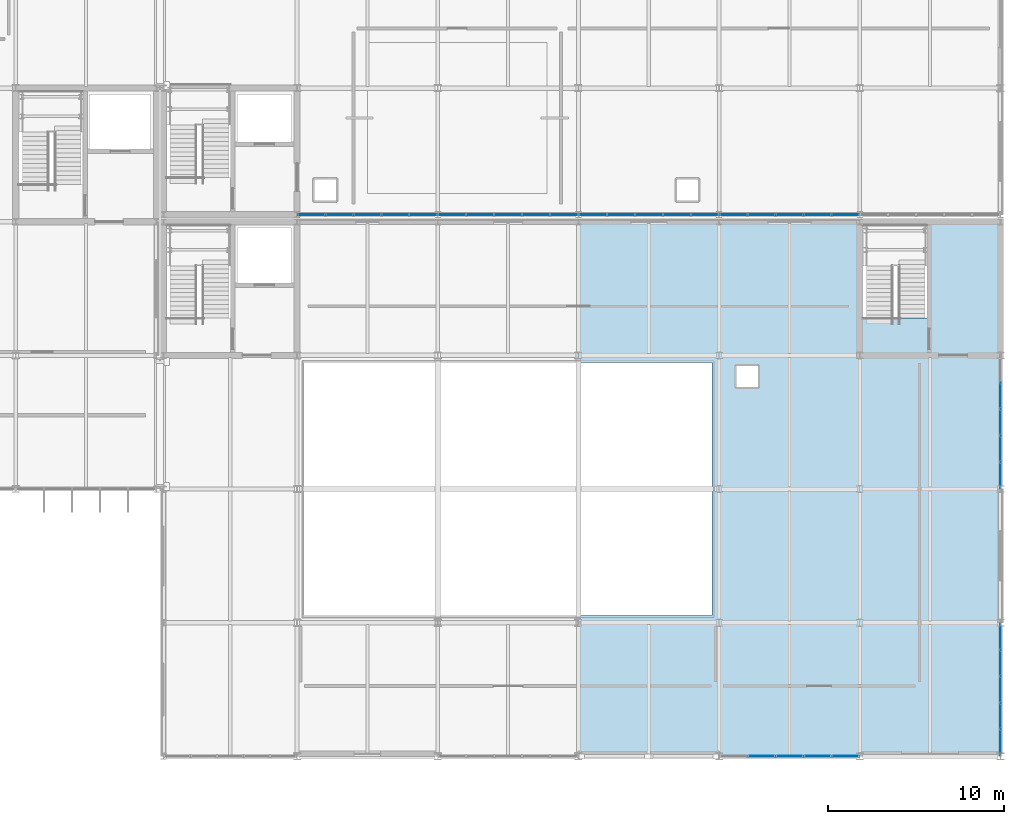
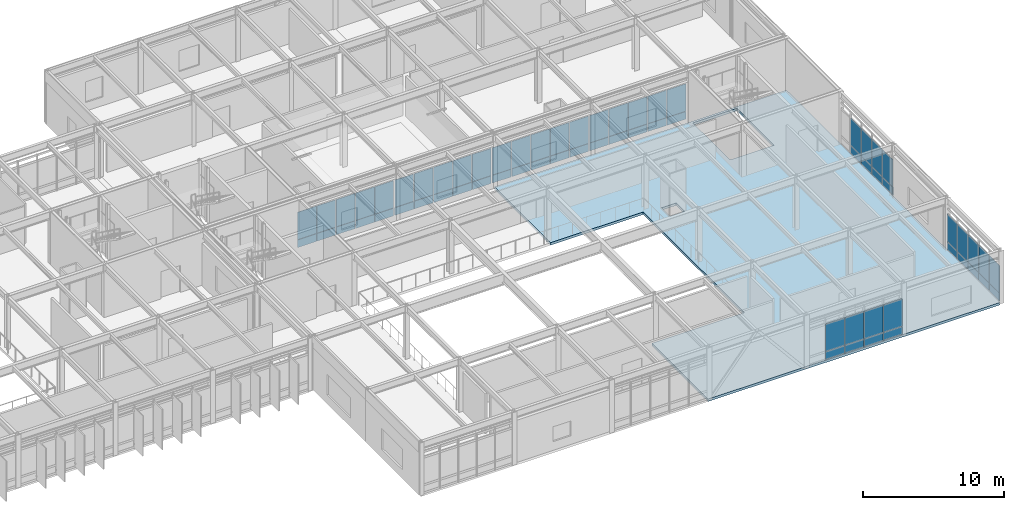
# One storey, part 75 of 104: 66 plates, 1 slab, 7 elements without a shape of their own.
"""IFC4 building model written with IfcOpenShell, lengths in metres."""

import ifcopenshell
import ifcopenshell.guid

model = None  # the IFC model being written
_history = None  # IfcOwnerHistory: only IFC2X3 demands one
_inside = {}  # id of a spatial element -> (the spatial element, [elements in it])
_under = {}  # id of a project, library or spatial element -> (it, [spatial elements below it])
_declared = {}  # id of a project -> (the project, [libraries it declares])
_typed = {}  # id of a type object -> (the type object, [elements of that type])
_made_of = {}  # id of a material, layer set ... -> (it, [elements and type objects made of it])


def new_model(schema):
    """Start an empty IFC model of exactly this schema.

    Asked for "IFC4X3", IfcOpenShell would pick the latest addendum, in which some entities
    have other attributes; the version numbers below select the first issue.
    IFC2X3 requires an IfcOwnerHistory on every rooted entity: one is made here for all.
    """
    global model, _history
    if schema == "IFC4X3":
        model = ifcopenshell.file(schema_version=(4, 3, 0, 0))
    else:
        model = ifcopenshell.file(schema=schema)
    _inside.clear()
    _under.clear()
    _declared.clear()
    _typed.clear()
    _made_of.clear()
    _history = None
    if model.schema == "IFC2X3":
        org = make("IfcOrganization", Name="unknown")
        user = make(
            "IfcPersonAndOrganization",
            ThePerson=make("IfcPerson", FamilyName="unknown"),
            TheOrganization=org,
        )
        app = make(
            "IfcApplication",
            ApplicationDeveloper=org,
            Version="unknown",
            ApplicationFullName="unknown",
            ApplicationIdentifier="unknown",
        )
        _history = make(
            "IfcOwnerHistory",
            OwningUser=user,
            OwningApplication=app,
            ChangeAction="ADDED",
            CreationDate=0,
        )
    return model


def make(cls, **values):
    """One entity of the class cls with the attributes given. An attribute that is None is left unset."""
    return model.create_entity(
        cls, **{name: value for name, value in values.items() if value is not None}
    )


def rooted(cls, **values):
    """An entity with a GlobalId (a new one), such as an element, a storey or a relation."""
    return make(cls, GlobalId=ifcopenshell.guid.new(), OwnerHistory=_history, **values)


def si_unit(unit_type, name, prefix=None):
    """IfcSIUnit, for example si_unit("LENGTHUNIT", "METRE", prefix="MILLI")."""
    return make("IfcSIUnit", UnitType=unit_type, Prefix=prefix, Name=name)


def assignment(units):
    """IfcUnitAssignment: the units of a project."""
    return None if units is None else make("IfcUnitAssignment", Units=units)


def point(xyz):
    """IfcCartesianPoint."""
    return None if xyz is None else make("IfcCartesianPoint", Coordinates=xyz)


def direction(xyz):
    """IfcDirection."""
    return None if xyz is None else make("IfcDirection", DirectionRatios=xyz)


def frame(location, z_axis=None, x_axis=None):
    """IfcAxis2Placement3D, a coordinate frame: its origin and axes. An axis left out is left unset."""
    return make(
        "IfcAxis2Placement3D",
        Location=point(location),
        Axis=direction(z_axis),
        RefDirection=direction(x_axis),
    )


def frame_2d(location, x_axis=None):
    """IfcAxis2Placement2D, a coordinate frame in the plane: its origin and x axis."""
    return make(
        "IfcAxis2Placement2D", Location=point(location), RefDirection=direction(x_axis)
    )


def origin():
    """The frame at (0, 0, 0) with its axes left unset."""
    return frame((0.0, 0.0, 0.0))


def origin_2d():
    """The frame at (0, 0) in the plane with its x axis left unset."""
    return frame_2d((0.0, 0.0))


def place(relative_to, where):
    """IfcLocalPlacement: puts the frame where relative to a parent placement (None: the world)."""
    return make(
        "IfcLocalPlacement", PlacementRelTo=relative_to, RelativePlacement=where
    )


def context(
    kind, dimensions, precision=None, world=None, true_north=None, identifier=None
):
    """IfcGeometricRepresentationContext, for example the 3D "Model" context."""
    return make(
        "IfcGeometricRepresentationContext",
        ContextIdentifier=identifier,
        ContextType=kind,
        CoordinateSpaceDimension=dimensions,
        Precision=precision,
        WorldCoordinateSystem=world,
        TrueNorth=true_north,
    )


def subcontext(parent, identifier, kind, view, scale=None):
    """IfcGeometricRepresentationSubContext, for example "Body" below "Model"."""
    return make(
        "IfcGeometricRepresentationSubContext",
        ContextIdentifier=identifier,
        ContextType=kind,
        ParentContext=parent,
        TargetScale=scale,
        TargetView=view,
    )


def project(units=None, contexts=None):
    """IfcProject with its units and contexts."""
    return rooted(
        "IfcProject",
        Name="project",
        RepresentationContexts=contexts,
        UnitsInContext=assignment(units),
    )


def spatial(cls, under=None, at=None, **own):
    """A site, building, storey or space (cls), placed at a placement, below another one or the project."""
    s = rooted(cls, ObjectPlacement=at, **own)
    if under is not None:
        _under.setdefault(under.id(), (under, []))[1].append(s)
    return s


def polyline(points):
    """IfcPolyline through the points."""
    return make("IfcPolyline", Points=[point(p) for p in points])


def profile(cls, at=None, kind="AREA", **sizes):
    """A parametric profile (cls). Its sizes go by their IFC names, for example OverallWidth=200.0."""
    return make(cls, ProfileType=kind, Position=at, **sizes)


def rectangle(**sizes):
    """IfcRectangleProfileDef."""
    return profile("IfcRectangleProfileDef", **sizes)


def outline(outer, holes=None, kind="AREA"):
    """IfcArbitraryClosedProfileDef: a profile drawn as a closed curve; with holes, ...WithVoids."""
    if holes is None:
        return make("IfcArbitraryClosedProfileDef", ProfileType=kind, OuterCurve=outer)
    return make(
        "IfcArbitraryProfileDefWithVoids",
        ProfileType=kind,
        OuterCurve=outer,
        InnerCurves=holes,
    )


def extrude(swept, where, along, depth):
    """IfcExtrudedAreaSolid: the profile swept, set in the frame where, extruded along a direction by depth."""
    return make(
        "IfcExtrudedAreaSolid",
        SweptArea=swept,
        Position=where,
        ExtrudedDirection=direction(along),
        Depth=depth,
    )


def shape(context_of_items, identifier, shape_type, items):
    """IfcShapeRepresentation: the items that make up one representation, for example the "Body"."""
    return make(
        "IfcShapeRepresentation",
        ContextOfItems=context_of_items,
        RepresentationIdentifier=identifier,
        RepresentationType=shape_type,
        Items=items,
    )


def material(Name=None, Category=None):
    """IfcMaterial."""
    return make("IfcMaterial", Name=Name, Category=Category)


def layer(
    of_material, thickness, ventilated=None, Name=None, Category=None, Priority=None
):
    """IfcMaterialLayer: one layer of a wall or slab, of a material (None: an air gap)."""
    return make(
        "IfcMaterialLayer",
        Material=of_material,
        LayerThickness=thickness,
        IsVentilated=ventilated,
        Name=Name,
        Category=Category,
        Priority=Priority,
    )


def layer_set(layers, Name=None):
    """IfcMaterialLayerSet."""
    return make("IfcMaterialLayerSet", MaterialLayers=layers, LayerSetName=Name)


def made_of(thing, what):
    """Note that an element or type object is made of a material, layer set ...; save() writes the relation."""
    if what is not None:
        _made_of.setdefault(what.id(), (what, []))[1].append(thing)
    return thing


def type_object(cls, material=None, **own):
    """A type object (cls), such as IfcWallType, which elements share."""
    return made_of(rooted(cls, **own), material)


def element(
    cls,
    number,
    at=None,
    inside=None,
    cuts=None,
    type_object=None,
    material=None,
    context=None,
    identifier="Body",
    shape_type=None,
    held_by="IfcProductDefinitionShape",
    body=None,
    shapes=None,
    **own,
):
    """One element of the class cls, such as IfcWall. Its Tag is "e" and its number.

    at: its placement. inside: the storey or other place that contains it. cuts: it is an
    opening in that element (IfcRelVoidsElement). A single representation is given by context,
    identifier, shape_type and body (its items); several are given by shapes. held_by: the class
    of the entity that holds the representations. save() writes the other relations.
    """
    e = rooted(cls, Tag="e%d" % number, ObjectPlacement=at, **own)
    if body is not None:
        shapes = [shape(context, identifier, shape_type, body)]
    if shapes is not None:
        e.Representation = make(held_by, Representations=shapes)
    if inside is not None:
        _inside.setdefault(inside.id(), (inside, []))[1].append(e)
    if cuts is not None:
        rooted(
            "IfcRelVoidsElement", RelatingBuildingElement=cuts, RelatedOpeningElement=e
        )
    if type_object is not None:
        _typed.setdefault(type_object.id(), (type_object, []))[1].append(e)
    return made_of(e, material)


def aggregate(whole, parts):
    """IfcRelAggregates: a whole, such as a stair, and the parts it consists of."""
    return rooted("IfcRelAggregates", RelatingObject=whole, RelatedObjects=parts)


def save(model, path):
    """Write the relations noted so far, then the file.

    IfcRelAggregates (storeys below a building ...), IfcRelContainedInSpatialStructure (elements
    in a storey), IfcRelDefinesByType, IfcRelAssociatesMaterial and IfcRelDeclares: one each for
    every whole, place, type object, material and project.
    """
    for whole, parts in _under.values():
        aggregate(whole, parts)
    for where, things in _inside.values():
        rooted(
            "IfcRelContainedInSpatialStructure",
            RelatedElements=things,
            RelatingStructure=where,
        )
    for kind, things in _typed.values():
        rooted("IfcRelDefinesByType", RelatedObjects=things, RelatingType=kind)
    for what, things in _made_of.values():
        rooted("IfcRelAssociatesMaterial", RelatedObjects=things, RelatingMaterial=what)
    for by, libraries in _declared.values():
        rooted("IfcRelDeclares", RelatingContext=by, RelatedDefinitions=libraries)
    model.write(path)


model = new_model("IFC4")

# Units and contexts
model_context = context("Model", 3, precision=1e-05, world=origin(), true_north=direction((0.0, 1.0)))
body_context = subcontext(model_context, "Body", "Model", "MODEL_VIEW")
ifc_project = project(units=[si_unit("LENGTHUNIT", "METRE"), si_unit("AREAUNIT", "SQUARE_METRE"), si_unit("VOLUMEUNIT", "CUBIC_METRE"), si_unit("PLANEANGLEUNIT", "RADIAN"), si_unit("MASSUNIT", "GRAM", prefix="KILO")], contexts=[model_context])

# Site, building, storey
site_placement = place(None, origin())
site = spatial("IfcSite", under=ifc_project, at=site_placement, CompositionType="ELEMENT")
building_placement = place(site_placement, origin())
building = spatial("IfcBuilding", under=site, at=building_placement, Name="Zulena Civic Courthouse", CompositionType="ELEMENT")
storey_placement = place(building_placement, frame((0.0, 0.0, 10.800048828125)))
storey = spatial("IfcBuildingStorey", under=building, at=storey_placement, Name="L02", CompositionType="ELEMENT", Elevation=10.800048828125)

# Curtain wall, plates
ifc_material_1 = material(Name="Double-silver low-E laminated solar-control glass", Category="glass")
curtain_wall_type_1 = type_object("IfcCurtainWallType", Name="CW_7540x3690", PredefinedType="USERDEFINED", material=ifc_material_1)
curtain_wall_1_placement = place(storey_placement, origin())
curtain_wall_1 = element("IfcCurtainWall", 1, at=curtain_wall_1_placement, inside=storey, type_object=curtain_wall_type_1, Name="cw:V1:L02:2:1", ObjectType="UNITISED CURTAIN WALL", PredefinedType="USERDEFINED")
ifc_material_2 = material(Name="Ceramic-fritted insulated spandrel glass", Category="glass")
ifc_layer_1 = layer(ifc_material_2, 0.0458984375)
ifc_layer_set_1 = layer_set([ifc_layer_1], Name="Ceramic-fritted insulated spandrel glass")
plate_type_1 = type_object("IfcPlateType", Name="CWPanel_Spandrel_46", PredefinedType="CURTAIN_PANEL", material=ifc_layer_set_1)
plate_1_placement = place(storey_placement, frame((172.0, 20.508056640625, 0.070068359375), z_axis=(0.0, 0.0, 1.0), x_axis=(0.0, -1.0, 0.0)))
plate_1 = element("IfcPlate", 2, at=plate_1_placement, type_object=plate_type_1, Name="cw:V1:L02:2:1:panS:1", PredefinedType="CURTAIN_PANEL", context=body_context, shape_type="SweptSolid", body=[
    extrude(rectangle(XDim=1.4580078125, YDim=0.0458984375, at=origin_2d()), origin(), (0.0, 0.0, 1.0), 0.669921875),
])
plate_2_placement = place(storey_placement, frame((172.0, 19.0, 0.070068359375), z_axis=(0.0, 0.0, 1.0), x_axis=(0.0, -1.0, 0.0)))
plate_2 = element("IfcPlate", 3, at=plate_2_placement, type_object=plate_type_1, Name="cw:V1:L02:2:1:panS:2", PredefinedType="CURTAIN_PANEL", context=body_context, shape_type="SweptSolid", body=[
    extrude(rectangle(XDim=1.4580078125, YDim=0.0458984375, at=origin_2d()), origin(), (0.0, 0.0, 1.0), 0.669921875),
])
plate_3_placement = place(storey_placement, frame((172.0, 17.491943359375, 0.070068359375), z_axis=(0.0, 0.0, 1.0), x_axis=(0.0, -1.0, 0.0)))
plate_3 = element("IfcPlate", 4, at=plate_3_placement, type_object=plate_type_1, Name="cw:V1:L02:2:1:panS:3", PredefinedType="CURTAIN_PANEL", context=body_context, shape_type="SweptSolid", body=[
    extrude(rectangle(XDim=1.4580078125, YDim=0.0458984375, at=origin_2d()), origin(), (0.0, 0.0, 1.0), 0.669921875),
])
plate_4_placement = place(storey_placement, frame((172.0, 15.98388671875, 0.070068359375), z_axis=(0.0, 0.0, 1.0), x_axis=(0.0, -1.0, 0.0)))
plate_4 = element("IfcPlate", 5, at=plate_4_placement, type_object=plate_type_1, Name="cw:V1:L02:2:1:panS:4", PredefinedType="CURTAIN_PANEL", context=body_context, shape_type="SweptSolid", body=[
    extrude(rectangle(XDim=1.4580078125, YDim=0.0458984375, at=origin_2d()), origin(), (0.0, 0.0, 1.0), 0.669921875),
])

curtain_wall_2_placement = place(storey_placement, origin())
curtain_wall_2 = element("IfcCurtainWall", 6, at=curtain_wall_2_placement, inside=storey, type_object=curtain_wall_type_1, Name="cw:V1:L02:2:3", ObjectType="UNITISED CURTAIN WALL", PredefinedType="USERDEFINED")
plate_5_placement = place(storey_placement, frame((172.0, 6.81591796875, 0.070068359375), z_axis=(0.0, 0.0, 1.0), x_axis=(0.0, -1.0, 0.0)))
plate_5 = element("IfcPlate", 7, at=plate_5_placement, type_object=plate_type_1, Name="cw:V1:L02:2:3:panS:0", PredefinedType="CURTAIN_PANEL", context=body_context, shape_type="SweptSolid", body=[
    extrude(rectangle(XDim=1.4580078125, YDim=0.0458984375, at=origin_2d()), origin(), (0.0, 0.0, 1.0), 0.669921875),
])
plate_6_placement = place(storey_placement, frame((172.0, 5.30810546875, 0.070068359375), z_axis=(0.0, 0.0, 1.0), x_axis=(0.0, -1.0, 0.0)))
plate_6 = element("IfcPlate", 8, at=plate_6_placement, type_object=plate_type_1, Name="cw:V1:L02:2:3:panS:1", PredefinedType="CURTAIN_PANEL", context=body_context, shape_type="SweptSolid", body=[
    extrude(rectangle(XDim=1.4580078125, YDim=0.0458984375, at=origin_2d()), origin(), (0.0, 0.0, 1.0), 0.669921875),
])
plate_7_placement = place(storey_placement, frame((172.0, 3.800048828125, 0.070068359375), z_axis=(0.0, 0.0, 1.0), x_axis=(0.0, -1.0, 0.0)))
plate_7 = element("IfcPlate", 9, at=plate_7_placement, type_object=plate_type_1, Name="cw:V1:L02:2:3:panS:2", PredefinedType="CURTAIN_PANEL", context=body_context, shape_type="SweptSolid", body=[
    extrude(rectangle(XDim=1.4580078125, YDim=0.0458984375, at=origin_2d()), origin(), (0.0, 0.0, 1.0), 0.669921875),
])
plate_8_placement = place(storey_placement, frame((172.0, 2.2919921875, 0.070068359375), z_axis=(0.0, 0.0, 1.0), x_axis=(0.0, -1.0, 0.0)))
plate_8 = element("IfcPlate", 10, at=plate_8_placement, type_object=plate_type_1, Name="cw:V1:L02:2:3:panS:3", PredefinedType="CURTAIN_PANEL", context=body_context, shape_type="SweptSolid", body=[
    extrude(rectangle(XDim=1.4580078125, YDim=0.0458984375, at=origin_2d()), origin(), (0.0, 0.0, 1.0), 0.669921875),
])
plate_9_placement = place(storey_placement, frame((172.0, 0.783935546875, 0.070068359375), z_axis=(0.0, 0.0, 1.0), x_axis=(0.0, -1.0, 0.0)))
plate_9 = element("IfcPlate", 11, at=plate_9_placement, type_object=plate_type_1, Name="cw:V1:L02:2:3:panS:4", PredefinedType="CURTAIN_PANEL", context=body_context, shape_type="SweptSolid", body=[
    extrude(rectangle(XDim=1.4580078125, YDim=0.0458984375, at=origin_2d()), origin(), (0.0, 0.0, 1.0), 0.669921875),
])

curtain_wall_type_2 = type_object("IfcCurtainWallType", Name="CW_7940x3690", PredefinedType="USERDEFINED", material=ifc_material_1)
curtain_wall_3_placement = place(storey_placement, origin())
curtain_wall_3 = element("IfcCurtainWall", 12, at=curtain_wall_3_placement, inside=storey, type_object=curtain_wall_type_2, Name="cw:V1:L02:3:1", ObjectType="UNITISED CURTAIN WALL", PredefinedType="USERDEFINED")
plate_10_placement = place(storey_placement, frame((163.176025390625, 0.0, 0.070068359375), z_axis=(0.0, 0.0, 1.0), x_axis=(-1.0, 0.0, 0.0)))
plate_10 = element("IfcPlate", 13, at=plate_10_placement, type_object=plate_type_1, Name="cw:V1:L02:3:1:panS:0", PredefinedType="CURTAIN_PANEL", context=body_context, shape_type="SweptSolid", body=[
    extrude(rectangle(XDim=1.5380859375, YDim=0.0458984375, at=origin_2d()), origin(), (0.0, 0.0, 1.0), 0.669921875),
])
plate_11_placement = place(storey_placement, frame((161.587890625, 0.0, 0.070068359375), z_axis=(0.0, 0.0, 1.0), x_axis=(-1.0, 0.0, 0.0)))
plate_11 = element("IfcPlate", 14, at=plate_11_placement, type_object=plate_type_1, Name="cw:V1:L02:3:1:panS:1", PredefinedType="CURTAIN_PANEL", context=body_context, shape_type="SweptSolid", body=[
    extrude(rectangle(XDim=1.5380859375, YDim=0.0458984375, at=origin_2d()), origin(), (0.0, 0.0, 1.0), 0.669921875),
])
plate_12_placement = place(storey_placement, frame((160.0, 0.0, 0.070068359375), z_axis=(0.0, 0.0, 1.0), x_axis=(-1.0, 0.0, 0.0)))
plate_12 = element("IfcPlate", 15, at=plate_12_placement, type_object=plate_type_1, Name="cw:V1:L02:3:1:panS:2", PredefinedType="CURTAIN_PANEL", context=body_context, shape_type="SweptSolid", body=[
    extrude(rectangle(XDim=1.5380859375, YDim=0.0458984375, at=origin_2d()), origin(), (0.0, 0.0, 1.0), 0.669921875),
])
plate_13_placement = place(storey_placement, frame((158.412109375, 0.0, 0.070068359375), z_axis=(0.0, 0.0, 1.0), x_axis=(-1.0, 0.0, 0.0)))
plate_13 = element("IfcPlate", 16, at=plate_13_placement, type_object=plate_type_1, Name="cw:V1:L02:3:1:panS:3", PredefinedType="CURTAIN_PANEL", context=body_context, shape_type="SweptSolid", body=[
    extrude(rectangle(XDim=1.5380859375, YDim=0.0458984375, at=origin_2d()), origin(), (0.0, 0.0, 1.0), 0.669921875),
])

curtain_wall_4_placement = place(storey_placement, origin())
curtain_wall_4 = element("IfcCurtainWall", 17, at=curtain_wall_4_placement, inside=storey, type_object=curtain_wall_type_2, Name="cw:V3:L02:3:1", ObjectType="UNITISED CURTAIN WALL", PredefinedType="USERDEFINED")
plate_14_placement = place(storey_placement, frame((163.176025390625, 30.800048828125, 0.070068359375), z_axis=(0.0, 0.0, 1.0), x_axis=(-1.0, 0.0, 0.0)))
plate_14 = element("IfcPlate", 18, at=plate_14_placement, type_object=plate_type_1, Name="cw:V3:L02:3:1:panS:0", PredefinedType="CURTAIN_PANEL", context=body_context, shape_type="SweptSolid", body=[
    extrude(rectangle(XDim=1.5380859375, YDim=0.0458984375, at=origin_2d()), origin(), (0.0, 0.0, 1.0), 0.669921875),
])
plate_15_placement = place(storey_placement, frame((161.587890625, 30.800048828125, 0.070068359375), z_axis=(0.0, 0.0, 1.0), x_axis=(-1.0, 0.0, 0.0)))
plate_15 = element("IfcPlate", 19, at=plate_15_placement, type_object=plate_type_1, Name="cw:V3:L02:3:1:panS:1", PredefinedType="CURTAIN_PANEL", context=body_context, shape_type="SweptSolid", body=[
    extrude(rectangle(XDim=1.5380859375, YDim=0.0458984375, at=origin_2d()), origin(), (0.0, 0.0, 1.0), 0.669921875),
])
plate_16_placement = place(storey_placement, frame((160.0, 30.800048828125, 0.070068359375), z_axis=(0.0, 0.0, 1.0), x_axis=(-1.0, 0.0, 0.0)))
plate_16 = element("IfcPlate", 20, at=plate_16_placement, type_object=plate_type_1, Name="cw:V3:L02:3:1:panS:2", PredefinedType="CURTAIN_PANEL", context=body_context, shape_type="SweptSolid", body=[
    extrude(rectangle(XDim=1.5380859375, YDim=0.0458984375, at=origin_2d()), origin(), (0.0, 0.0, 1.0), 0.669921875),
])
plate_17_placement = place(storey_placement, frame((158.412109375, 30.800048828125, 0.070068359375), z_axis=(0.0, 0.0, 1.0), x_axis=(-1.0, 0.0, 0.0)))
plate_17 = element("IfcPlate", 21, at=plate_17_placement, type_object=plate_type_1, Name="cw:V3:L02:3:1:panS:3", PredefinedType="CURTAIN_PANEL", context=body_context, shape_type="SweptSolid", body=[
    extrude(rectangle(XDim=1.5380859375, YDim=0.0458984375, at=origin_2d()), origin(), (0.0, 0.0, 1.0), 0.669921875),
])
plate_18_placement = place(storey_placement, frame((156.823974609375, 30.800048828125, 0.070068359375), z_axis=(0.0, 0.0, 1.0), x_axis=(-1.0, 0.0, 0.0)))
plate_18 = element("IfcPlate", 22, at=plate_18_placement, type_object=plate_type_1, Name="cw:V3:L02:3:1:panS:4", PredefinedType="CURTAIN_PANEL", context=body_context, shape_type="SweptSolid", body=[
    extrude(rectangle(XDim=1.5380859375, YDim=0.0458984375, at=origin_2d()), origin(), (0.0, 0.0, 1.0), 0.669921875),
])

curtain_wall_5_placement = place(storey_placement, origin())
curtain_wall_5 = element("IfcCurtainWall", 23, at=curtain_wall_5_placement, inside=storey, type_object=curtain_wall_type_2, Name="cw:V3:L02:3:2", ObjectType="UNITISED CURTAIN WALL", PredefinedType="USERDEFINED")
plate_19_placement = place(storey_placement, frame((155.176025390625, 30.800048828125, 0.070068359375), z_axis=(0.0, 0.0, 1.0), x_axis=(-1.0, 0.0, 0.0)))
plate_19 = element("IfcPlate", 24, at=plate_19_placement, type_object=plate_type_1, Name="cw:V3:L02:3:2:panS:0", PredefinedType="CURTAIN_PANEL", context=body_context, shape_type="SweptSolid", body=[
    extrude(rectangle(XDim=1.5380859375, YDim=0.0458984375, at=origin_2d()), origin(), (0.0, 0.0, 1.0), 0.669921875),
])
plate_20_placement = place(storey_placement, frame((153.587890625, 30.800048828125, 0.070068359375), z_axis=(0.0, 0.0, 1.0), x_axis=(-1.0, 0.0, 0.0)))
plate_20 = element("IfcPlate", 25, at=plate_20_placement, type_object=plate_type_1, Name="cw:V3:L02:3:2:panS:1", PredefinedType="CURTAIN_PANEL", context=body_context, shape_type="SweptSolid", body=[
    extrude(rectangle(XDim=1.5380859375, YDim=0.0458984375, at=origin_2d()), origin(), (0.0, 0.0, 1.0), 0.669921875),
])
plate_21_placement = place(storey_placement, frame((152.0, 30.800048828125, 0.070068359375), z_axis=(0.0, 0.0, 1.0), x_axis=(-1.0, 0.0, 0.0)))
plate_21 = element("IfcPlate", 26, at=plate_21_placement, type_object=plate_type_1, Name="cw:V3:L02:3:2:panS:2", PredefinedType="CURTAIN_PANEL", context=body_context, shape_type="SweptSolid", body=[
    extrude(rectangle(XDim=1.5380859375, YDim=0.0458984375, at=origin_2d()), origin(), (0.0, 0.0, 1.0), 0.669921875),
])
plate_22_placement = place(storey_placement, frame((150.412109375, 30.800048828125, 0.070068359375), z_axis=(0.0, 0.0, 1.0), x_axis=(-1.0, 0.0, 0.0)))
plate_22 = element("IfcPlate", 27, at=plate_22_placement, type_object=plate_type_1, Name="cw:V3:L02:3:2:panS:3", PredefinedType="CURTAIN_PANEL", context=body_context, shape_type="SweptSolid", body=[
    extrude(rectangle(XDim=1.5380859375, YDim=0.0458984375, at=origin_2d()), origin(), (0.0, 0.0, 1.0), 0.669921875),
])
plate_23_placement = place(storey_placement, frame((148.823974609375, 30.800048828125, 0.070068359375), z_axis=(0.0, 0.0, 1.0), x_axis=(-1.0, 0.0, 0.0)))
plate_23 = element("IfcPlate", 28, at=plate_23_placement, type_object=plate_type_1, Name="cw:V3:L02:3:2:panS:4", PredefinedType="CURTAIN_PANEL", context=body_context, shape_type="SweptSolid", body=[
    extrude(rectangle(XDim=1.5380859375, YDim=0.0458984375, at=origin_2d()), origin(), (0.0, 0.0, 1.0), 0.669921875),
])

curtain_wall_6_placement = place(storey_placement, origin())
curtain_wall_6 = element("IfcCurtainWall", 29, at=curtain_wall_6_placement, inside=storey, type_object=curtain_wall_type_2, Name="cw:V3:L02:3:3", ObjectType="UNITISED CURTAIN WALL", PredefinedType="USERDEFINED")
plate_24_placement = place(storey_placement, frame((147.176025390625, 30.800048828125, 0.070068359375), z_axis=(0.0, 0.0, 1.0), x_axis=(-1.0, 0.0, 0.0)))
plate_24 = element("IfcPlate", 30, at=plate_24_placement, type_object=plate_type_1, Name="cw:V3:L02:3:3:panS:0", PredefinedType="CURTAIN_PANEL", context=body_context, shape_type="SweptSolid", body=[
    extrude(rectangle(XDim=1.5380859375, YDim=0.0458984375, at=origin_2d()), origin(), (0.0, 0.0, 1.0), 0.669921875),
])
plate_25_placement = place(storey_placement, frame((145.587890625, 30.800048828125, 0.070068359375), z_axis=(0.0, 0.0, 1.0), x_axis=(-1.0, 0.0, 0.0)))
plate_25 = element("IfcPlate", 31, at=plate_25_placement, type_object=plate_type_1, Name="cw:V3:L02:3:3:panS:1", PredefinedType="CURTAIN_PANEL", context=body_context, shape_type="SweptSolid", body=[
    extrude(rectangle(XDim=1.5380859375, YDim=0.0458984375, at=origin_2d()), origin(), (0.0, 0.0, 1.0), 0.669921875),
])
plate_26_placement = place(storey_placement, frame((144.0, 30.800048828125, 0.070068359375), z_axis=(0.0, 0.0, 1.0), x_axis=(-1.0, 0.0, 0.0)))
plate_26 = element("IfcPlate", 32, at=plate_26_placement, type_object=plate_type_1, Name="cw:V3:L02:3:3:panS:2", PredefinedType="CURTAIN_PANEL", context=body_context, shape_type="SweptSolid", body=[
    extrude(rectangle(XDim=1.5380859375, YDim=0.0458984375, at=origin_2d()), origin(), (0.0, 0.0, 1.0), 0.669921875),
])
plate_27_placement = place(storey_placement, frame((142.412109375, 30.800048828125, 0.070068359375), z_axis=(0.0, 0.0, 1.0), x_axis=(-1.0, 0.0, 0.0)))
plate_27 = element("IfcPlate", 33, at=plate_27_placement, type_object=plate_type_1, Name="cw:V3:L02:3:3:panS:3", PredefinedType="CURTAIN_PANEL", context=body_context, shape_type="SweptSolid", body=[
    extrude(rectangle(XDim=1.5380859375, YDim=0.0458984375, at=origin_2d()), origin(), (0.0, 0.0, 1.0), 0.669921875),
])
plate_28_placement = place(storey_placement, frame((140.823974609375, 30.800048828125, 0.070068359375), z_axis=(0.0, 0.0, 1.0), x_axis=(-1.0, 0.0, 0.0)))
plate_28 = element("IfcPlate", 34, at=plate_28_placement, type_object=plate_type_1, Name="cw:V3:L02:3:3:panS:4", PredefinedType="CURTAIN_PANEL", context=body_context, shape_type="SweptSolid", body=[
    extrude(rectangle(XDim=1.5380859375, YDim=0.0458984375, at=origin_2d()), origin(), (0.0, 0.0, 1.0), 0.669921875),
])

curtain_wall_7_placement = place(storey_placement, origin())
curtain_wall_7 = element("IfcCurtainWall", 35, at=curtain_wall_7_placement, inside=storey, type_object=curtain_wall_type_2, Name="cw:V3:L02:3:4", ObjectType="UNITISED CURTAIN WALL", PredefinedType="USERDEFINED")
plate_29_placement = place(storey_placement, frame((139.176025390625, 30.800048828125, 0.070068359375), z_axis=(0.0, 0.0, 1.0), x_axis=(-1.0, 0.0, 0.0)))
plate_29 = element("IfcPlate", 36, at=plate_29_placement, type_object=plate_type_1, Name="cw:V3:L02:3:4:panS:0", PredefinedType="CURTAIN_PANEL", context=body_context, shape_type="SweptSolid", body=[
    extrude(rectangle(XDim=1.5380859375, YDim=0.0458984375, at=origin_2d()), origin(), (0.0, 0.0, 1.0), 0.669921875),
])
plate_30_placement = place(storey_placement, frame((137.587890625, 30.800048828125, 0.070068359375), z_axis=(0.0, 0.0, 1.0), x_axis=(-1.0, 0.0, 0.0)))
plate_30 = element("IfcPlate", 37, at=plate_30_placement, type_object=plate_type_1, Name="cw:V3:L02:3:4:panS:1", PredefinedType="CURTAIN_PANEL", context=body_context, shape_type="SweptSolid", body=[
    extrude(rectangle(XDim=1.5380859375, YDim=0.0458984375, at=origin_2d()), origin(), (0.0, 0.0, 1.0), 0.669921875),
])
plate_31_placement = place(storey_placement, frame((136.0, 30.800048828125, 0.070068359375), z_axis=(0.0, 0.0, 1.0), x_axis=(-1.0, 0.0, 0.0)))
plate_31 = element("IfcPlate", 38, at=plate_31_placement, type_object=plate_type_1, Name="cw:V3:L02:3:4:panS:2", PredefinedType="CURTAIN_PANEL", context=body_context, shape_type="SweptSolid", body=[
    extrude(rectangle(XDim=1.5380859375, YDim=0.0458984375, at=origin_2d()), origin(), (0.0, 0.0, 1.0), 0.669921875),
])
plate_32_placement = place(storey_placement, frame((134.412109375, 30.800048828125, 0.070068359375), z_axis=(0.0, 0.0, 1.0), x_axis=(-1.0, 0.0, 0.0)))
plate_32 = element("IfcPlate", 39, at=plate_32_placement, type_object=plate_type_1, Name="cw:V3:L02:3:4:panS:3", PredefinedType="CURTAIN_PANEL", context=body_context, shape_type="SweptSolid", body=[
    extrude(rectangle(XDim=1.5380859375, YDim=0.0458984375, at=origin_2d()), origin(), (0.0, 0.0, 1.0), 0.669921875),
])
plate_33_placement = place(storey_placement, frame((132.823974609375, 30.800048828125, 0.070068359375), z_axis=(0.0, 0.0, 1.0), x_axis=(-1.0, 0.0, 0.0)))
plate_33 = element("IfcPlate", 40, at=plate_33_placement, type_object=plate_type_1, Name="cw:V3:L02:3:4:panS:4", PredefinedType="CURTAIN_PANEL", context=body_context, shape_type="SweptSolid", body=[
    extrude(rectangle(XDim=1.5380859375, YDim=0.0458984375, at=origin_2d()), origin(), (0.0, 0.0, 1.0), 0.669921875),
])

# Plate
ifc_layer_2 = layer(ifc_material_1, 0.035888671875)
ifc_layer_set_2 = layer_set([ifc_layer_2], Name="Double-silver low-E laminated solar-control glass")
plate_type_2 = type_object("IfcPlateType", Name="CWPanel_Vision_36", PredefinedType="CURTAIN_PANEL", material=ifc_layer_set_2)
plate_34_placement = place(storey_placement, frame((172.0, 20.508056640625, 0.760009765625), z_axis=(0.0, 0.0, 1.0), x_axis=(0.0, -1.0, 0.0)))
plate_34 = element("IfcPlate", 41, at=plate_34_placement, type_object=plate_type_2, Name="cw:V1:L02:2:1:panV:1", PredefinedType="CURTAIN_PANEL", context=body_context, shape_type="SweptSolid", body=[
    extrude(rectangle(XDim=1.4580078125, YDim=0.035888671875, at=origin_2d()), origin(), (0.0, 0.0, 1.0), 2.3701171875),
])

plate_35_placement = place(storey_placement, frame((172.0, 19.0, 0.760009765625), z_axis=(0.0, 0.0, 1.0), x_axis=(0.0, -1.0, 0.0)))
plate_35 = element("IfcPlate", 42, at=plate_35_placement, type_object=plate_type_2, Name="cw:V1:L02:2:1:panV:2", PredefinedType="CURTAIN_PANEL", context=body_context, shape_type="SweptSolid", body=[
    extrude(rectangle(XDim=1.4580078125, YDim=0.035888671875, at=origin_2d()), origin(), (0.0, 0.0, 1.0), 2.3701171875),
])

plate_36_placement = place(storey_placement, frame((172.0, 17.491943359375, 0.760009765625), z_axis=(0.0, 0.0, 1.0), x_axis=(0.0, -1.0, 0.0)))
plate_36 = element("IfcPlate", 43, at=plate_36_placement, type_object=plate_type_2, Name="cw:V1:L02:2:1:panV:3", PredefinedType="CURTAIN_PANEL", context=body_context, shape_type="SweptSolid", body=[
    extrude(rectangle(XDim=1.4580078125, YDim=0.035888671875, at=origin_2d()), origin(), (0.0, 0.0, 1.0), 2.3701171875),
])

plate_37_placement = place(storey_placement, frame((172.0, 15.98388671875, 0.760009765625), z_axis=(0.0, 0.0, 1.0), x_axis=(0.0, -1.0, 0.0)))
plate_37 = element("IfcPlate", 44, at=plate_37_placement, type_object=plate_type_2, Name="cw:V1:L02:2:1:panV:4", PredefinedType="CURTAIN_PANEL", context=body_context, shape_type="SweptSolid", body=[
    extrude(rectangle(XDim=1.4580078125, YDim=0.035888671875, at=origin_2d()), origin(), (0.0, 0.0, 1.0), 2.3701171875),
])

aggregate(curtain_wall_1, [plate_34, plate_1, plate_35, plate_2, plate_36, plate_3, plate_37, plate_4])

plate_38_placement = place(storey_placement, frame((172.0, 6.81591796875, 0.760009765625), z_axis=(0.0, 0.0, 1.0), x_axis=(0.0, -1.0, 0.0)))
plate_38 = element("IfcPlate", 45, at=plate_38_placement, type_object=plate_type_2, Name="cw:V1:L02:2:3:panV:0", PredefinedType="CURTAIN_PANEL", context=body_context, shape_type="SweptSolid", body=[
    extrude(rectangle(XDim=1.4580078125, YDim=0.035888671875, at=origin_2d()), origin(), (0.0, 0.0, 1.0), 2.3701171875),
])

plate_39_placement = place(storey_placement, frame((172.0, 5.30810546875, 0.760009765625), z_axis=(0.0, 0.0, 1.0), x_axis=(0.0, -1.0, 0.0)))
plate_39 = element("IfcPlate", 46, at=plate_39_placement, type_object=plate_type_2, Name="cw:V1:L02:2:3:panV:1", PredefinedType="CURTAIN_PANEL", context=body_context, shape_type="SweptSolid", body=[
    extrude(rectangle(XDim=1.4580078125, YDim=0.035888671875, at=origin_2d()), origin(), (0.0, 0.0, 1.0), 2.3701171875),
])

plate_40_placement = place(storey_placement, frame((172.0, 3.800048828125, 0.760009765625), z_axis=(0.0, 0.0, 1.0), x_axis=(0.0, -1.0, 0.0)))
plate_40 = element("IfcPlate", 47, at=plate_40_placement, type_object=plate_type_2, Name="cw:V1:L02:2:3:panV:2", PredefinedType="CURTAIN_PANEL", context=body_context, shape_type="SweptSolid", body=[
    extrude(rectangle(XDim=1.4580078125, YDim=0.035888671875, at=origin_2d()), origin(), (0.0, 0.0, 1.0), 2.3701171875),
])

plate_41_placement = place(storey_placement, frame((172.0, 2.2919921875, 0.760009765625), z_axis=(0.0, 0.0, 1.0), x_axis=(0.0, -1.0, 0.0)))
plate_41 = element("IfcPlate", 48, at=plate_41_placement, type_object=plate_type_2, Name="cw:V1:L02:2:3:panV:3", PredefinedType="CURTAIN_PANEL", context=body_context, shape_type="SweptSolid", body=[
    extrude(rectangle(XDim=1.4580078125, YDim=0.035888671875, at=origin_2d()), origin(), (0.0, 0.0, 1.0), 2.3701171875),
])

plate_42_placement = place(storey_placement, frame((172.0, 0.783935546875, 0.760009765625), z_axis=(0.0, 0.0, 1.0), x_axis=(0.0, -1.0, 0.0)))
plate_42 = element("IfcPlate", 49, at=plate_42_placement, type_object=plate_type_2, Name="cw:V1:L02:2:3:panV:4", PredefinedType="CURTAIN_PANEL", context=body_context, shape_type="SweptSolid", body=[
    extrude(rectangle(XDim=1.4580078125, YDim=0.035888671875, at=origin_2d()), origin(), (0.0, 0.0, 1.0), 2.3701171875),
])

aggregate(curtain_wall_2, [plate_38, plate_5, plate_39, plate_6, plate_40, plate_7, plate_41, plate_8, plate_42, plate_9])

plate_43_placement = place(storey_placement, frame((163.176025390625, 0.0, 0.760009765625), z_axis=(0.0, 0.0, 1.0), x_axis=(-1.0, 0.0, 0.0)))
plate_43 = element("IfcPlate", 50, at=plate_43_placement, type_object=plate_type_2, Name="cw:V1:L02:3:1:panV:0", PredefinedType="CURTAIN_PANEL", context=body_context, shape_type="SweptSolid", body=[
    extrude(rectangle(XDim=1.5380859375, YDim=0.035888671875, at=origin_2d()), origin(), (0.0, 0.0, 1.0), 2.3701171875),
])

plate_44_placement = place(storey_placement, frame((161.587890625, 0.0, 0.760009765625), z_axis=(0.0, 0.0, 1.0), x_axis=(-1.0, 0.0, 0.0)))
plate_44 = element("IfcPlate", 51, at=plate_44_placement, type_object=plate_type_2, Name="cw:V1:L02:3:1:panV:1", PredefinedType="CURTAIN_PANEL", context=body_context, shape_type="SweptSolid", body=[
    extrude(rectangle(XDim=1.5380859375, YDim=0.035888671875, at=origin_2d()), origin(), (0.0, 0.0, 1.0), 2.3701171875),
])

plate_45_placement = place(storey_placement, frame((160.0, 0.0, 0.760009765625), z_axis=(0.0, 0.0, 1.0), x_axis=(-1.0, 0.0, 0.0)))
plate_45 = element("IfcPlate", 52, at=plate_45_placement, type_object=plate_type_2, Name="cw:V1:L02:3:1:panV:2", PredefinedType="CURTAIN_PANEL", context=body_context, shape_type="SweptSolid", body=[
    extrude(rectangle(XDim=1.5380859375, YDim=0.035888671875, at=origin_2d()), origin(), (0.0, 0.0, 1.0), 2.3701171875),
])

plate_46_placement = place(storey_placement, frame((158.412109375, 0.0, 0.760009765625), z_axis=(0.0, 0.0, 1.0), x_axis=(-1.0, 0.0, 0.0)))
plate_46 = element("IfcPlate", 53, at=plate_46_placement, type_object=plate_type_2, Name="cw:V1:L02:3:1:panV:3", PredefinedType="CURTAIN_PANEL", context=body_context, shape_type="SweptSolid", body=[
    extrude(rectangle(XDim=1.5380859375, YDim=0.035888671875, at=origin_2d()), origin(), (0.0, 0.0, 1.0), 2.3701171875),
])

aggregate(curtain_wall_3, [plate_43, plate_10, plate_44, plate_11, plate_45, plate_12, plate_46, plate_13])

plate_47_placement = place(storey_placement, frame((163.176025390625, 30.800048828125, 0.760009765625), z_axis=(0.0, 0.0, 1.0), x_axis=(-1.0, 0.0, 0.0)))
plate_47 = element("IfcPlate", 54, at=plate_47_placement, type_object=plate_type_2, Name="cw:V3:L02:3:1:panV:0", PredefinedType="CURTAIN_PANEL", context=body_context, shape_type="SweptSolid", body=[
    extrude(rectangle(XDim=1.5380859375, YDim=0.035888671875, at=origin_2d()), origin(), (0.0, 0.0, 1.0), 2.3701171875),
])

plate_48_placement = place(storey_placement, frame((161.587890625, 30.800048828125, 0.760009765625), z_axis=(0.0, 0.0, 1.0), x_axis=(-1.0, 0.0, 0.0)))
plate_48 = element("IfcPlate", 55, at=plate_48_placement, type_object=plate_type_2, Name="cw:V3:L02:3:1:panV:1", PredefinedType="CURTAIN_PANEL", context=body_context, shape_type="SweptSolid", body=[
    extrude(rectangle(XDim=1.5380859375, YDim=0.035888671875, at=origin_2d()), origin(), (0.0, 0.0, 1.0), 2.3701171875),
])

plate_49_placement = place(storey_placement, frame((160.0, 30.800048828125, 0.760009765625), z_axis=(0.0, 0.0, 1.0), x_axis=(-1.0, 0.0, 0.0)))
plate_49 = element("IfcPlate", 56, at=plate_49_placement, type_object=plate_type_2, Name="cw:V3:L02:3:1:panV:2", PredefinedType="CURTAIN_PANEL", context=body_context, shape_type="SweptSolid", body=[
    extrude(rectangle(XDim=1.5380859375, YDim=0.035888671875, at=origin_2d()), origin(), (0.0, 0.0, 1.0), 2.3701171875),
])

plate_50_placement = place(storey_placement, frame((158.412109375, 30.800048828125, 0.760009765625), z_axis=(0.0, 0.0, 1.0), x_axis=(-1.0, 0.0, 0.0)))
plate_50 = element("IfcPlate", 57, at=plate_50_placement, type_object=plate_type_2, Name="cw:V3:L02:3:1:panV:3", PredefinedType="CURTAIN_PANEL", context=body_context, shape_type="SweptSolid", body=[
    extrude(rectangle(XDim=1.5380859375, YDim=0.035888671875, at=origin_2d()), origin(), (0.0, 0.0, 1.0), 2.3701171875),
])

plate_51_placement = place(storey_placement, frame((156.823974609375, 30.800048828125, 0.760009765625), z_axis=(0.0, 0.0, 1.0), x_axis=(-1.0, 0.0, 0.0)))
plate_51 = element("IfcPlate", 58, at=plate_51_placement, type_object=plate_type_2, Name="cw:V3:L02:3:1:panV:4", PredefinedType="CURTAIN_PANEL", context=body_context, shape_type="SweptSolid", body=[
    extrude(rectangle(XDim=1.5380859375, YDim=0.035888671875, at=origin_2d()), origin(), (0.0, 0.0, 1.0), 2.3701171875),
])

aggregate(curtain_wall_4, [plate_47, plate_14, plate_48, plate_15, plate_49, plate_16, plate_50, plate_17, plate_51, plate_18])

plate_52_placement = place(storey_placement, frame((155.176025390625, 30.800048828125, 0.760009765625), z_axis=(0.0, 0.0, 1.0), x_axis=(-1.0, 0.0, 0.0)))
plate_52 = element("IfcPlate", 59, at=plate_52_placement, type_object=plate_type_2, Name="cw:V3:L02:3:2:panV:0", PredefinedType="CURTAIN_PANEL", context=body_context, shape_type="SweptSolid", body=[
    extrude(rectangle(XDim=1.5380859375, YDim=0.035888671875, at=origin_2d()), origin(), (0.0, 0.0, 1.0), 2.3701171875),
])

plate_53_placement = place(storey_placement, frame((153.587890625, 30.800048828125, 0.760009765625), z_axis=(0.0, 0.0, 1.0), x_axis=(-1.0, 0.0, 0.0)))
plate_53 = element("IfcPlate", 60, at=plate_53_placement, type_object=plate_type_2, Name="cw:V3:L02:3:2:panV:1", PredefinedType="CURTAIN_PANEL", context=body_context, shape_type="SweptSolid", body=[
    extrude(rectangle(XDim=1.5380859375, YDim=0.035888671875, at=origin_2d()), origin(), (0.0, 0.0, 1.0), 2.3701171875),
])

plate_54_placement = place(storey_placement, frame((152.0, 30.800048828125, 0.760009765625), z_axis=(0.0, 0.0, 1.0), x_axis=(-1.0, 0.0, 0.0)))
plate_54 = element("IfcPlate", 61, at=plate_54_placement, type_object=plate_type_2, Name="cw:V3:L02:3:2:panV:2", PredefinedType="CURTAIN_PANEL", context=body_context, shape_type="SweptSolid", body=[
    extrude(rectangle(XDim=1.5380859375, YDim=0.035888671875, at=origin_2d()), origin(), (0.0, 0.0, 1.0), 2.3701171875),
])

plate_55_placement = place(storey_placement, frame((150.412109375, 30.800048828125, 0.760009765625), z_axis=(0.0, 0.0, 1.0), x_axis=(-1.0, 0.0, 0.0)))
plate_55 = element("IfcPlate", 62, at=plate_55_placement, type_object=plate_type_2, Name="cw:V3:L02:3:2:panV:3", PredefinedType="CURTAIN_PANEL", context=body_context, shape_type="SweptSolid", body=[
    extrude(rectangle(XDim=1.5380859375, YDim=0.035888671875, at=origin_2d()), origin(), (0.0, 0.0, 1.0), 2.3701171875),
])

plate_56_placement = place(storey_placement, frame((148.823974609375, 30.800048828125, 0.760009765625), z_axis=(0.0, 0.0, 1.0), x_axis=(-1.0, 0.0, 0.0)))
plate_56 = element("IfcPlate", 63, at=plate_56_placement, type_object=plate_type_2, Name="cw:V3:L02:3:2:panV:4", PredefinedType="CURTAIN_PANEL", context=body_context, shape_type="SweptSolid", body=[
    extrude(rectangle(XDim=1.5380859375, YDim=0.035888671875, at=origin_2d()), origin(), (0.0, 0.0, 1.0), 2.3701171875),
])

aggregate(curtain_wall_5, [plate_52, plate_19, plate_53, plate_20, plate_54, plate_21, plate_55, plate_22, plate_56, plate_23])

plate_57_placement = place(storey_placement, frame((147.176025390625, 30.800048828125, 0.760009765625), z_axis=(0.0, 0.0, 1.0), x_axis=(-1.0, 0.0, 0.0)))
plate_57 = element("IfcPlate", 64, at=plate_57_placement, type_object=plate_type_2, Name="cw:V3:L02:3:3:panV:0", PredefinedType="CURTAIN_PANEL", context=body_context, shape_type="SweptSolid", body=[
    extrude(rectangle(XDim=1.5380859375, YDim=0.035888671875, at=origin_2d()), origin(), (0.0, 0.0, 1.0), 2.3701171875),
])

plate_58_placement = place(storey_placement, frame((145.587890625, 30.800048828125, 0.760009765625), z_axis=(0.0, 0.0, 1.0), x_axis=(-1.0, 0.0, 0.0)))
plate_58 = element("IfcPlate", 65, at=plate_58_placement, type_object=plate_type_2, Name="cw:V3:L02:3:3:panV:1", PredefinedType="CURTAIN_PANEL", context=body_context, shape_type="SweptSolid", body=[
    extrude(rectangle(XDim=1.5380859375, YDim=0.035888671875, at=origin_2d()), origin(), (0.0, 0.0, 1.0), 2.3701171875),
])

plate_59_placement = place(storey_placement, frame((144.0, 30.800048828125, 0.760009765625), z_axis=(0.0, 0.0, 1.0), x_axis=(-1.0, 0.0, 0.0)))
plate_59 = element("IfcPlate", 66, at=plate_59_placement, type_object=plate_type_2, Name="cw:V3:L02:3:3:panV:2", PredefinedType="CURTAIN_PANEL", context=body_context, shape_type="SweptSolid", body=[
    extrude(rectangle(XDim=1.5380859375, YDim=0.035888671875, at=origin_2d()), origin(), (0.0, 0.0, 1.0), 2.3701171875),
])

plate_60_placement = place(storey_placement, frame((142.412109375, 30.800048828125, 0.760009765625), z_axis=(0.0, 0.0, 1.0), x_axis=(-1.0, 0.0, 0.0)))
plate_60 = element("IfcPlate", 67, at=plate_60_placement, type_object=plate_type_2, Name="cw:V3:L02:3:3:panV:3", PredefinedType="CURTAIN_PANEL", context=body_context, shape_type="SweptSolid", body=[
    extrude(rectangle(XDim=1.5380859375, YDim=0.035888671875, at=origin_2d()), origin(), (0.0, 0.0, 1.0), 2.3701171875),
])

plate_61_placement = place(storey_placement, frame((140.823974609375, 30.800048828125, 0.760009765625), z_axis=(0.0, 0.0, 1.0), x_axis=(-1.0, 0.0, 0.0)))
plate_61 = element("IfcPlate", 68, at=plate_61_placement, type_object=plate_type_2, Name="cw:V3:L02:3:3:panV:4", PredefinedType="CURTAIN_PANEL", context=body_context, shape_type="SweptSolid", body=[
    extrude(rectangle(XDim=1.5380859375, YDim=0.035888671875, at=origin_2d()), origin(), (0.0, 0.0, 1.0), 2.3701171875),
])

aggregate(curtain_wall_6, [plate_57, plate_24, plate_58, plate_25, plate_59, plate_26, plate_60, plate_27, plate_61, plate_28])

plate_62_placement = place(storey_placement, frame((139.176025390625, 30.800048828125, 0.760009765625), z_axis=(0.0, 0.0, 1.0), x_axis=(-1.0, 0.0, 0.0)))
plate_62 = element("IfcPlate", 69, at=plate_62_placement, type_object=plate_type_2, Name="cw:V3:L02:3:4:panV:0", PredefinedType="CURTAIN_PANEL", context=body_context, shape_type="SweptSolid", body=[
    extrude(rectangle(XDim=1.5380859375, YDim=0.035888671875, at=origin_2d()), origin(), (0.0, 0.0, 1.0), 2.3701171875),
])

plate_63_placement = place(storey_placement, frame((137.587890625, 30.800048828125, 0.760009765625), z_axis=(0.0, 0.0, 1.0), x_axis=(-1.0, 0.0, 0.0)))
plate_63 = element("IfcPlate", 70, at=plate_63_placement, type_object=plate_type_2, Name="cw:V3:L02:3:4:panV:1", PredefinedType="CURTAIN_PANEL", context=body_context, shape_type="SweptSolid", body=[
    extrude(rectangle(XDim=1.5380859375, YDim=0.035888671875, at=origin_2d()), origin(), (0.0, 0.0, 1.0), 2.3701171875),
])

plate_64_placement = place(storey_placement, frame((136.0, 30.800048828125, 0.760009765625), z_axis=(0.0, 0.0, 1.0), x_axis=(-1.0, 0.0, 0.0)))
plate_64 = element("IfcPlate", 71, at=plate_64_placement, type_object=plate_type_2, Name="cw:V3:L02:3:4:panV:2", PredefinedType="CURTAIN_PANEL", context=body_context, shape_type="SweptSolid", body=[
    extrude(rectangle(XDim=1.5380859375, YDim=0.035888671875, at=origin_2d()), origin(), (0.0, 0.0, 1.0), 2.3701171875),
])

plate_65_placement = place(storey_placement, frame((134.412109375, 30.800048828125, 0.760009765625), z_axis=(0.0, 0.0, 1.0), x_axis=(-1.0, 0.0, 0.0)))
plate_65 = element("IfcPlate", 72, at=plate_65_placement, type_object=plate_type_2, Name="cw:V3:L02:3:4:panV:3", PredefinedType="CURTAIN_PANEL", context=body_context, shape_type="SweptSolid", body=[
    extrude(rectangle(XDim=1.5380859375, YDim=0.035888671875, at=origin_2d()), origin(), (0.0, 0.0, 1.0), 2.3701171875),
])

plate_66_placement = place(storey_placement, frame((132.823974609375, 30.800048828125, 0.760009765625), z_axis=(0.0, 0.0, 1.0), x_axis=(-1.0, 0.0, 0.0)))
plate_66 = element("IfcPlate", 73, at=plate_66_placement, type_object=plate_type_2, Name="cw:V3:L02:3:4:panV:4", PredefinedType="CURTAIN_PANEL", context=body_context, shape_type="SweptSolid", body=[
    extrude(rectangle(XDim=1.5380859375, YDim=0.035888671875, at=origin_2d()), origin(), (0.0, 0.0, 1.0), 2.3701171875),
])

aggregate(curtain_wall_7, [plate_62, plate_29, plate_63, plate_30, plate_64, plate_31, plate_65, plate_32, plate_66, plate_33])

# Slab
ifc_material_3 = material(Name="Concrete C35/45", Category="concrete")
ifc_layer_3 = layer(ifc_material_3, 0.215087890625)
ifc_layer_set_3 = layer_set([ifc_layer_3], Name="Concrete C35/45")
slab_type = type_object("IfcSlabType", Name="FloorSlab_215", PredefinedType="FLOOR", material=ifc_layer_set_3)
slab_placement = place(storey_placement, frame((0.0, 0.0, -0.215087890625)))
element("IfcSlab", 74, at=slab_placement, inside=storey, type_object=slab_type, Name="slab:V1:L02_2", PredefinedType="FLOOR", context=body_context, shape_type="SweptSolid", body=[
    extrude(outline(polyline([(172.0, 30.39990234375), (172.0, 0.0), (148.0, 0.0), (148.0, 8.0), (155.60009765625, 8.0), (155.60009765625, 22.39990234375), (148.0, 22.39990234375), (148.0, 30.39990234375), (172.0, 30.39990234375)]), holes=[polyline([(164.18994140625, 24.919921875), (167.81005859375, 24.919921875), (167.81005859375, 30.2099609375), (164.18994140625, 30.2099609375), (164.18994140625, 24.919921875)]), polyline([(157.0, 22.199951171875), (157.0, 21.0), (158.199951171875, 21.0), (158.199951171875, 22.199951171875), (157.0, 22.199951171875)])]), origin(), (0.0, 0.0, 1.0), 0.215087890625),
])

save(model, "model.ifc")
